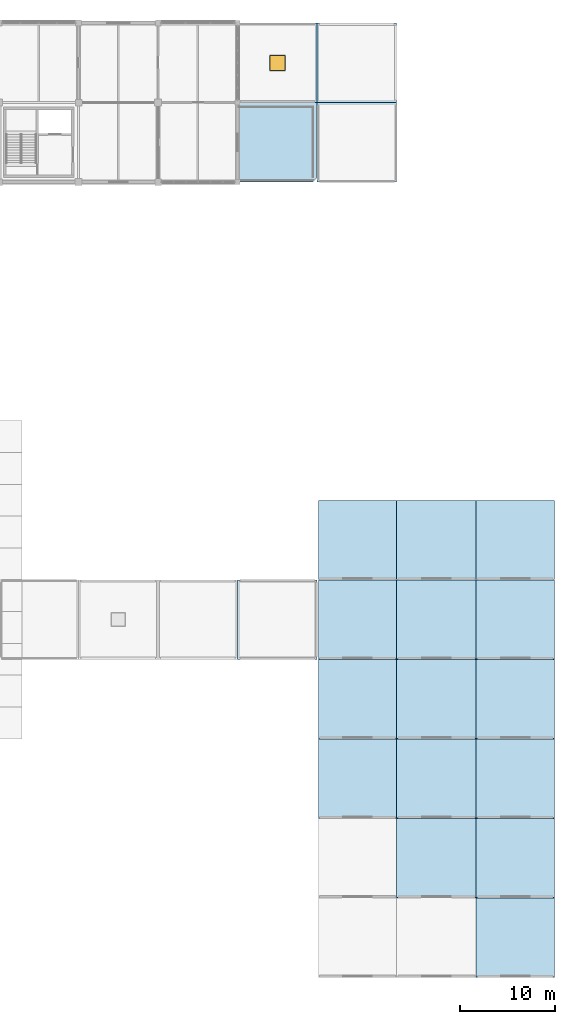
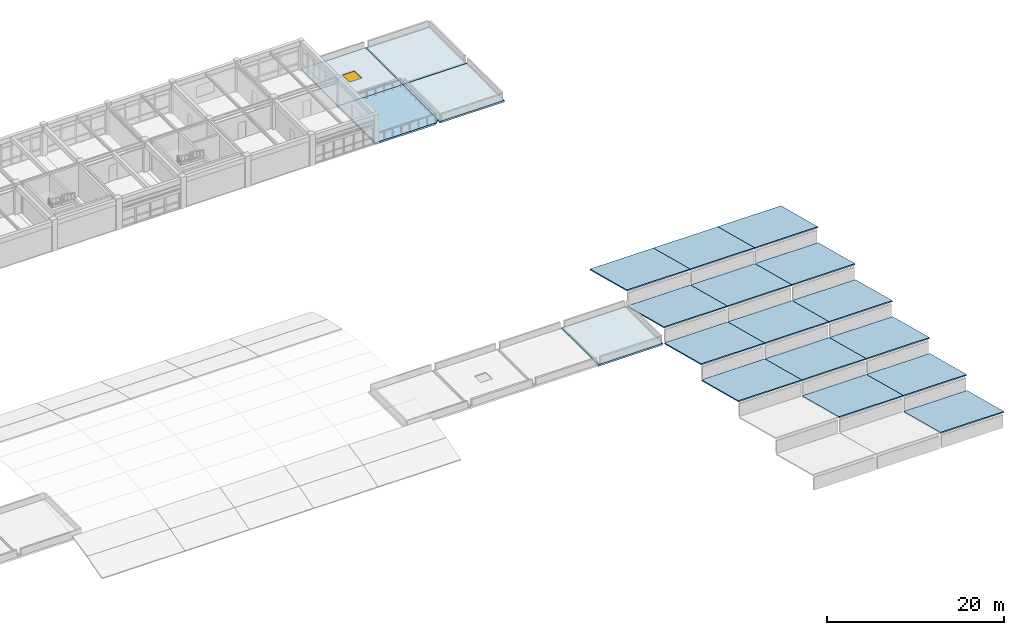
# One storey, part 29 of 40: 20 slabs, 1 window, 1 opening.
"""IFC4 building model written with IfcOpenShell, lengths in metres."""

from ifc_helpers import new_model, si_unit, direction, frame, origin, origin_2d, place, context, subcontext, project, spatial, polyline, rectangle, outline, extrude, material, layer, layer_set, type_object, element, fill, save


model = new_model("IFC4")

# Units and contexts
model_context = context("Model", 3, precision=1e-05, world=origin(), true_north=direction((0.0, 1.0)))
body_context = subcontext(model_context, "Body", "Model", "MODEL_VIEW")
ifc_project = project(units=[si_unit("LENGTHUNIT", "METRE"), si_unit("AREAUNIT", "SQUARE_METRE"), si_unit("VOLUMEUNIT", "CUBIC_METRE"), si_unit("PLANEANGLEUNIT", "RADIAN"), si_unit("MASSUNIT", "GRAM", prefix="KILO")], contexts=[model_context])

# Site, building, storey
site_placement = place(None, origin())
site = spatial("IfcSite", under=ifc_project, at=site_placement, CompositionType="ELEMENT")
building_placement = place(site_placement, origin())
building = spatial("IfcBuilding", under=site, at=building_placement, Name="Porcellanite Civic Hall", CompositionType="ELEMENT")
storey_placement = place(building_placement, frame((0.0, 0.0, 19.080078125)))
storey = spatial("IfcBuildingStorey", under=building, at=storey_placement, Name="L04", CompositionType="ELEMENT", Elevation=19.080078125)

# Slab
ifc_material_1 = material(Name="Concrete N40 (40 MPa)", Category="concrete")
ifc_layer_1 = layer(ifc_material_1, 0.25)
ifc_layer_set_1 = layer_set([ifc_layer_1], Name="Concrete N40 (40 MPa)")
slab_type_1 = type_object("IfcSlabType", Name="SL-RF250", PredefinedType="ROOF", material=ifc_layer_set_1)
slab_1_placement = place(storey_placement, frame((0.0, 0.0, -0.25)))
element("IfcSlab", 1, at=slab_1_placement, inside=storey, type_object=slab_type_1, Name="Roof slab L04 17-7", PredefinedType="ROOF", context=body_context, shape_type="SweptSolid", body=[
    extrude(outline(polyline([(134.39990234375, 50.39990234375), (142.800048828125, 50.39990234375), (142.800048828125, 58.800048828125), (134.39990234375, 58.800048828125), (134.39990234375, 50.39990234375)])), origin(), (0.0, 0.0, 1.0), 0.25),
])

# Slab, opening, window
slab_2_placement = place(storey_placement, frame((0.0, 0.0, -0.25)))
slab_2 = element("IfcSlab", 2, at=slab_2_placement, inside=storey, type_object=slab_type_1, Name="Roof slab L04 17-14", PredefinedType="ROOF", context=body_context, shape_type="SweptSolid", body=[
    extrude(outline(polyline([(134.39990234375, 109.199951171875), (142.800048828125, 109.199951171875), (142.800048828125, 117.60009765625), (134.39990234375, 117.60009765625), (134.39990234375, 109.199951171875)])), origin(), (0.0, 0.0, 1.0), 0.25),
])
opening_placement = place(slab_2_placement, frame((138.60009765625, 113.39990234375, 0.0)))
opening = element("IfcOpeningElement", 3, at=opening_placement, cuts=slab_2, Name="Opening SK8", PredefinedType="OPENING", context=body_context, shape_type="SweptSolid", body=[
    extrude(rectangle(XDim=1.60009765625, YDim=1.60009765625, at=origin_2d()), origin(), (0.0, 0.0, 1.0), 0.25),
])
ifc_material_2 = material(Name="Cyclone laminated low-E glazing in anodised aluminium frame", Category="aluminium")
window_type = type_object("IfcWindowType", Name="SK-08", PartitioningType="SINGLE_PANEL", PredefinedType="SKYLIGHT", material=ifc_material_2)
window_placement = place(opening_placement, frame((0.0, 0.0, 0.199951171875)))
window = element("IfcWindow", 4, at=window_placement, inside=storey, type_object=window_type, Name="Roof skylight SK8 L04 17-14", OverallHeight=1.60009765625, OverallWidth=1.60009765625, PartitioningType="SINGLE_PANEL", PredefinedType="SKYLIGHT", context=body_context, shape_type="SweptSolid", body=[
    extrude(rectangle(XDim=1.60009765625, YDim=1.60009765625, at=origin_2d()), origin(), (0.0, 0.0, 1.0), 0.050048828125),
])
fill(opening, window)

# Slabs
slab_3_placement = place(storey_placement, frame((0.0, 0.0, -0.25)))
element("IfcSlab", 5, at=slab_3_placement, inside=storey, type_object=slab_type_1, Name="Roof slab L04 18-13", PredefinedType="ROOF", context=body_context, shape_type="SweptSolid", body=[
    extrude(outline(polyline([(142.800048828125, 100.800048828125), (151.199951171875, 100.800048828125), (151.199951171875, 109.199951171875), (142.800048828125, 109.199951171875), (142.800048828125, 100.800048828125)])), origin(), (0.0, 0.0, 1.0), 0.25),
])
slab_4_placement = place(storey_placement, frame((0.0, 0.0, -0.25)))
element("IfcSlab", 6, at=slab_4_placement, inside=storey, type_object=slab_type_1, Name="Roof slab L04 18-14", PredefinedType="ROOF", context=body_context, shape_type="SweptSolid", body=[
    extrude(outline(polyline([(142.800048828125, 109.199951171875), (151.199951171875, 109.199951171875), (151.199951171875, 117.60009765625), (142.800048828125, 117.60009765625), (142.800048828125, 109.199951171875)])), origin(), (0.0, 0.0, 1.0), 0.25),
])
ifc_material_3 = material(Name="Concrete N40 (40 MPa)", Category="concrete")
ifc_layer_2 = layer(ifc_material_3, 0.14990234375)
ifc_layer_set_2 = layer_set([ifc_layer_2], Name="Concrete N40 (40 MPa)")
slab_type_2 = type_object("IfcSlabType", Name="SL-SAW150", PredefinedType="ROOF", material=ifc_layer_set_2)
slab_5_placement = place(storey_placement, frame((159.60009765625, 16.840087890625, 2.161865234375), z_axis=(0.0, 0.250375476103, 0.968148811375), x_axis=(1.0, 0.0, 0.0)))
element("IfcSlab", 7, at=slab_5_placement, inside=storey, type_object=slab_type_2, Name="Members Library sawtooth roof 19-2", PredefinedType="ROOF", context=body_context, shape_type="SweptSolid", body=[
    extrude(outline(polyline([(0.0, 0.0), (8.260009765625, 0.0), (8.260009765625, 8.59353863889695), (0.0, 8.59353863889695), (0.0, 0.0)])), origin(), (0.0, 0.0, -1.0), 0.14990234375),
])
slab_6_placement = place(storey_placement, frame((151.199951171875, 25.239990234375, 2.161865234375), z_axis=(0.0, 0.250368589733, 0.968150592251), x_axis=(1.0, 0.0, 0.0)))
element("IfcSlab", 8, at=slab_6_placement, inside=storey, type_object=slab_type_2, Name="Members Library sawtooth roof 18-3", PredefinedType="ROOF", context=body_context, shape_type="SweptSolid", body=[
    extrude(outline(polyline([(0.0, 0.0), (8.400146484375, 0.0), (8.400146484375, 8.59377500357025), (0.0, 8.59377500357025), (0.0, 0.0)])), origin(), (0.0, 0.0, -1.0), 0.14990234375),
])
for number, where, z_axis, x_axis, name in (
    (9, (159.60009765625, 25.239990234375, 2.161865234375), (0.0, 0.250368589733, 0.968150592251), (1.0, 0.0, 0.0), "Members Library sawtooth roof 19-3"),
    (10, (142.93994140625, 33.639892578125, 2.161865234375), (0.0, 0.250368589733, 0.968150592251), (1.0, 0.0, 0.0), "Members Library sawtooth roof 17-4"),
):
    element("IfcSlab", number, at=place(storey_placement, frame(where, z_axis=z_axis, x_axis=x_axis)), inside=storey, type_object=slab_type_2, Name=name, PredefinedType="ROOF", context=body_context, shape_type="SweptSolid", body=[
        extrude(outline(polyline([(0.0, 0.0), (8.260009765625, 0.0), (8.260009765625, 8.59377500357025), (0.0, 8.59377500357025), (0.0, 0.0)])), origin(), (0.0, 0.0, -1.0), 0.14990234375),
    ])
slab_7_placement = place(storey_placement, frame((151.199951171875, 33.639892578125, 2.161865234375), z_axis=(0.0, 0.250368589733, 0.968150592251), x_axis=(1.0, 0.0, 0.0)))
element("IfcSlab", 11, at=slab_7_placement, inside=storey, type_object=slab_type_2, Name="Members Library sawtooth roof 18-4", PredefinedType="ROOF", context=body_context, shape_type="SweptSolid", body=[
    extrude(outline(polyline([(0.0, 0.0), (8.400146484375, 0.0), (8.400146484375, 8.59377500357025), (0.0, 8.59377500357025), (0.0, 0.0)])), origin(), (0.0, 0.0, -1.0), 0.14990234375),
])
for number, where, z_axis, x_axis, name in (
    (12, (159.60009765625, 33.639892578125, 2.161865234375), (0.0, 0.250368589733, 0.968150592251), (1.0, 0.0, 0.0), "Members Library sawtooth roof 19-4"),
    (13, (142.93994140625, 42.0400390625, 2.161865234375), (0.0, 0.250368589733, 0.968150592251), (1.0, 0.0, 0.0), "Members Library sawtooth roof 17-5"),
):
    element("IfcSlab", number, at=place(storey_placement, frame(where, z_axis=z_axis, x_axis=x_axis)), inside=storey, type_object=slab_type_2, Name=name, PredefinedType="ROOF", context=body_context, shape_type="SweptSolid", body=[
        extrude(outline(polyline([(0.0, 0.0), (8.260009765625, 0.0), (8.260009765625, 8.59377500357025), (0.0, 8.59377500357025), (0.0, 0.0)])), origin(), (0.0, 0.0, -1.0), 0.14990234375),
    ])
slab_8_placement = place(storey_placement, frame((151.199951171875, 42.0400390625, 2.161865234375), z_axis=(0.0, 0.250368589733, 0.968150592251), x_axis=(1.0, 0.0, 0.0)))
element("IfcSlab", 14, at=slab_8_placement, inside=storey, type_object=slab_type_2, Name="Members Library sawtooth roof 18-5", PredefinedType="ROOF", context=body_context, shape_type="SweptSolid", body=[
    extrude(outline(polyline([(0.0, 0.0), (8.400146484375, 0.0), (8.400146484375, 8.59377500357025), (0.0, 8.59377500357025), (0.0, 0.0)])), origin(), (0.0, 0.0, -1.0), 0.14990234375),
])
for number, where, z_axis, x_axis, name in (
    (15, (159.60009765625, 42.0400390625, 2.161865234375), (0.0, 0.250368589733, 0.968150592251), (1.0, 0.0, 0.0), "Members Library sawtooth roof 19-5"),
    (16, (142.93994140625, 50.43994140625, 2.161865234375), (0.0, 0.250368589733, 0.968150592251), (1.0, 0.0, 0.0), "Members Library sawtooth roof 17-6"),
):
    element("IfcSlab", number, at=place(storey_placement, frame(where, z_axis=z_axis, x_axis=x_axis)), inside=storey, type_object=slab_type_2, Name=name, PredefinedType="ROOF", context=body_context, shape_type="SweptSolid", body=[
        extrude(outline(polyline([(0.0, 0.0), (8.260009765625, 0.0), (8.260009765625, 8.59377500357025), (0.0, 8.59377500357025), (0.0, 0.0)])), origin(), (0.0, 0.0, -1.0), 0.14990234375),
    ])
slab_9_placement = place(storey_placement, frame((151.199951171875, 50.43994140625, 2.161865234375), z_axis=(0.0, 0.250368589733, 0.968150592251), x_axis=(1.0, 0.0, 0.0)))
element("IfcSlab", 17, at=slab_9_placement, inside=storey, type_object=slab_type_2, Name="Members Library sawtooth roof 18-6", PredefinedType="ROOF", context=body_context, shape_type="SweptSolid", body=[
    extrude(outline(polyline([(0.0, 0.0), (8.400146484375, 0.0), (8.400146484375, 8.59377500357025), (0.0, 8.59377500357025), (0.0, 0.0)])), origin(), (0.0, 0.0, -1.0), 0.14990234375),
])
slab_10_placement = place(storey_placement, frame((159.60009765625, 50.43994140625, 2.161865234375), z_axis=(0.0, 0.250368589733, 0.968150592251), x_axis=(1.0, 0.0, 0.0)))
element("IfcSlab", 18, at=slab_10_placement, inside=storey, type_object=slab_type_2, Name="Members Library sawtooth roof 19-6", PredefinedType="ROOF", context=body_context, shape_type="SweptSolid", body=[
    extrude(outline(polyline([(0.0, 0.0), (8.260009765625, 0.0), (8.260009765625, 8.59377500357025), (0.0, 8.59377500357025), (0.0, 0.0)])), origin(), (0.0, 0.0, -1.0), 0.14990234375),
])
slab_11_placement = place(storey_placement, frame((142.93994140625, 58.840087890625, 2.161865234375), z_axis=(0.0, 0.250375476103, 0.968148811375), x_axis=(1.0, 0.0, 0.0)))
element("IfcSlab", 19, at=slab_11_placement, inside=storey, type_object=slab_type_2, Name="Members Library sawtooth roof 17-7", PredefinedType="ROOF", context=body_context, shape_type="SweptSolid", body=[
    extrude(outline(polyline([(0.0, 0.0), (8.260009765625, 0.0), (8.260009765625, 8.59353863889695), (0.0, 8.59353863889695), (0.0, 0.0)])), origin(), (0.0, 0.0, -1.0), 0.14990234375),
])
slab_12_placement = place(storey_placement, frame((151.199951171875, 58.840087890625, 2.161865234375), z_axis=(0.0, 0.250375476103, 0.968148811375), x_axis=(1.0, 0.0, 0.0)))
element("IfcSlab", 20, at=slab_12_placement, inside=storey, type_object=slab_type_2, Name="Members Library sawtooth roof 18-7", PredefinedType="ROOF", context=body_context, shape_type="SweptSolid", body=[
    extrude(outline(polyline([(0.0, 0.0), (8.400146484375, 0.0), (8.400146484375, 8.593538638896952), (0.0, 8.593538638896952), (0.0, 0.0)])), origin(), (0.0, 0.0, -1.0), 0.14990234375),
])
slab_13_placement = place(storey_placement, frame((159.60009765625, 58.840087890625, 2.161865234375), z_axis=(0.0, 0.250375476103, 0.968148811375), x_axis=(1.0, 0.0, 0.0)))
element("IfcSlab", 21, at=slab_13_placement, inside=storey, type_object=slab_type_2, Name="Members Library sawtooth roof 19-7", PredefinedType="ROOF", context=body_context, shape_type="SweptSolid", body=[
    extrude(outline(polyline([(0.0, 0.0), (8.260009765625, 0.0), (8.260009765625, 8.59353863889695), (0.0, 8.59353863889695), (0.0, 0.0)])), origin(), (0.0, 0.0, -1.0), 0.14990234375),
])
ifc_material_4 = material(Name="Concrete N40 (40 MPa)", Category="concrete")
ifc_layer_3 = layer(ifc_material_4, 0.25)
ifc_layer_set_3 = layer_set([ifc_layer_3], Name="Concrete N40 (40 MPa)")
slab_type_3 = type_object("IfcSlabType", Name="SL-TER250", PredefinedType="FLOOR", material=ifc_layer_set_3)
slab_14_placement = place(storey_placement, frame((0.0, 0.0, -0.25)))
element("IfcSlab", 22, at=slab_14_placement, inside=storey, type_object=slab_type_3, Name="Civic terrace slab L04 17-13", PredefinedType="FLOOR", context=body_context, shape_type="SweptSolid", body=[
    extrude(outline(polyline([(134.39990234375, 100.800048828125), (142.300048828125, 100.800048828125), (142.800048828125, 101.300048828125), (142.800048828125, 109.199951171875), (134.39990234375, 109.199951171875), (134.39990234375, 100.800048828125)])), origin(), (0.0, 0.0, 1.0), 0.25),
])

save(model, "model.ifc")
